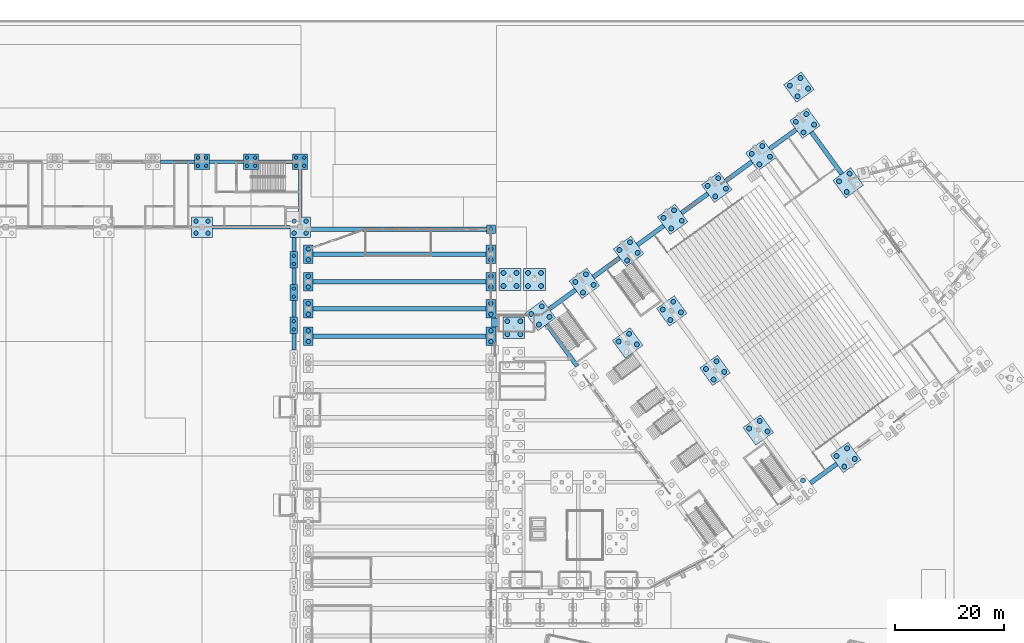
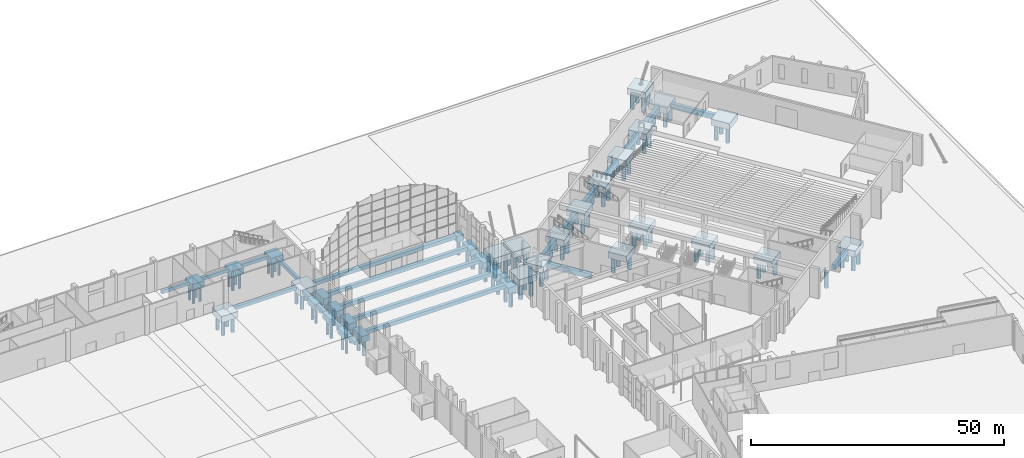
# One storey, part 9 of 239: 109 piles, 58 footings.
"""IFC4 building model written with IfcOpenShell, lengths in metres."""

from ifc_helpers import new_model, si_unit, direction, frame, origin, origin_2d, place, context, subcontext, project, spatial, rectangle, circle, extrude, material, material_profile, profile_set, type_object, element, save


model = new_model("IFC4")

# Units and contexts
model_context = context("Model", 3, precision=1e-05, world=origin(), true_north=direction((0.0, 1.0)))
body_context = subcontext(model_context, "Body", "Model", "MODEL_VIEW")
ifc_project = project(units=[si_unit("LENGTHUNIT", "METRE"), si_unit("AREAUNIT", "SQUARE_METRE"), si_unit("VOLUMEUNIT", "CUBIC_METRE"), si_unit("PLANEANGLEUNIT", "RADIAN"), si_unit("MASSUNIT", "GRAM", prefix="KILO")], contexts=[model_context])

# Site, building, storey
site_placement = place(None, origin())
site = spatial("IfcSite", under=ifc_project, at=site_placement, CompositionType="ELEMENT")
building_placement = place(site_placement, origin())
building = spatial("IfcBuilding", under=site, at=building_placement, Name="Okhra Congress Centre", CompositionType="ELEMENT")
storey_placement = place(building_placement, origin())
storey = spatial("IfcBuildingStorey", under=building, at=storey_placement, Name="L00", CompositionType="ELEMENT", Elevation=0.0)

# Piles
ifc_material_1 = material(Name="Concrete C30/37", Category="concrete")
ifc_material_profile_1 = material_profile(ifc_material_1, circle(Radius=0.300048828125, at=origin_2d()), Name="D600")
ifc_profile_set_1 = profile_set([ifc_material_profile_1], Name="Concrete C30/37")
pile_type_1 = type_object("IfcPileType", Name="Bored pile D600", PredefinedType="BORED", material=ifc_profile_set_1)
for number, where, z_axis, x_axis, name in (
    (1, (152.85009765625, 197.25, -1.800048828125), (0.0, 0.0, -1.0), (1.0, 0.0, 0.0), "EH.PILE.L00.PP36.1"),
    (2, (152.85009765625, 198.75, -1.800048828125), (0.0, 0.0, -1.0), (1.0, 0.0, 0.0), "EH.PILE.L00.PP36.2"),
    (3, (152.85009765625, 203.25, -1.800048828125), (0.0, 0.0, -1.0), (1.0, 0.0, 0.0), "EH.PILE.L00.PP38.1"),
    (4, (152.85009765625, 204.75, -1.800048828125), (0.0, 0.0, -1.0), (1.0, 0.0, 0.0), "EH.PILE.L00.PP38.2"),
    (5, (152.85009765625, 209.25, -1.800048828125), (0.0, 0.0, -1.0), (1.0, 0.0, 0.0), "EH.PILE.L00.PP40.1"),
    (6, (152.85009765625, 210.75, -1.800048828125), (0.0, 0.0, -1.0), (1.0, 0.0, 0.0), "EH.PILE.L00.PP40.2"),
    (7, (135.25, 227.25, -1.800048828125), (0.0, 0.0, -1.0), (1.0, 0.0, 0.0), "EH.PILE.L00.KC13.1"),
    (8, (136.75, 227.25, -1.800048828125), (0.0, 0.0, -1.0), (1.0, 0.0, 0.0), "EH.PILE.L00.KC13.2"),
    (9, (135.25, 228.75, -1.800048828125), (0.0, 0.0, -1.0), (1.0, 0.0, 0.0), "EH.PILE.L00.KC13.3"),
    (10, (136.75, 228.75, -1.800048828125), (0.0, 0.0, -1.0), (1.0, 0.0, 0.0), "EH.PILE.L00.KC13.4"),
    (11, (144.25, 227.25, -1.800048828125), (0.0, 0.0, -1.0), (1.0, 0.0, 0.0), "EH.PILE.L00.KC14.1"),
    (12, (145.75, 227.25, -1.800048828125), (0.0, 0.0, -1.0), (1.0, 0.0, 0.0), "EH.PILE.L00.KC14.2"),
    (13, (144.25, 228.75, -1.800048828125), (0.0, 0.0, -1.0), (1.0, 0.0, 0.0), "EH.PILE.L00.KC14.3"),
    (14, (145.75, 228.75, -1.800048828125), (0.0, 0.0, -1.0), (1.0, 0.0, 0.0), "EH.PILE.L00.KC14.4"),
    (15, (153.25, 227.25, -1.800048828125), (0.0, 0.0, -1.0), (1.0, 0.0, 0.0), "EH.PILE.L00.KC15.1"),
    (16, (154.75, 227.25, -1.800048828125), (0.0, 0.0, -1.0), (1.0, 0.0, 0.0), "EH.PILE.L00.KC15.2"),
    (17, (153.25, 228.75, -1.800048828125), (0.0, 0.0, -1.0), (1.0, 0.0, 0.0), "EH.PILE.L00.KC15.3"),
    (18, (154.75, 228.75, -1.800048828125), (0.0, 0.0, -1.0), (1.0, 0.0, 0.0), "EH.PILE.L00.KC15.4"),
):
    element("IfcPile", number, at=place(storey_placement, frame(where, z_axis=z_axis, x_axis=x_axis)), inside=storey, type_object=pile_type_1, Name=name, PredefinedType="BORED", context=body_context, shape_type="SweptSolid", body=[
        extrude(circle(Radius=0.300048828125, at=origin_2d()), origin(), (0.0, 0.0, 1.0), 3.699951171875),
    ])
ifc_material_profile_2 = material_profile(ifc_material_1, circle(Radius=0.39990234375, at=origin_2d()), Name="D800")
ifc_profile_set_2 = profile_set([ifc_material_profile_2], Name="Concrete C30/37")
pile_type_2 = type_object("IfcPileType", Name="Bored pile D800", PredefinedType="BORED", material=ifc_profile_set_2)
for number, where, z_axis, x_axis, name in (
    (19, (134.89990234375, 214.89990234375, -1.800048828125), (0.0, 0.0, -1.0), (1.0, 0.0, 0.0), "EH.PILE.L00.SC14.1"),
    (20, (137.10009765625, 214.89990234375, -1.800048828125), (0.0, 0.0, -1.0), (1.0, 0.0, 0.0), "EH.PILE.L00.SC14.2"),
    (21, (134.89990234375, 217.10009765625, -1.800048828125), (0.0, 0.0, -1.0), (1.0, 0.0, 0.0), "EH.PILE.L00.SC14.3"),
    (22, (137.10009765625, 217.10009765625, -1.800048828125), (0.0, 0.0, -1.0), (1.0, 0.0, 0.0), "EH.PILE.L00.SC14.4"),
    (23, (152.89990234375, 214.89990234375, -1.800048828125), (0.0, 0.0, -1.0), (1.0, 0.0, 0.0), "EH.PILE.L00.SC16.1"),
    (24, (155.10009765625, 214.89990234375, -1.800048828125), (0.0, 0.0, -1.0), (1.0, 0.0, 0.0), "EH.PILE.L00.SC16.2"),
):
    element("IfcPile", number, at=place(storey_placement, frame(where, z_axis=z_axis, x_axis=x_axis)), inside=storey, type_object=pile_type_2, Name=name, PredefinedType="BORED", context=body_context, shape_type="SweptSolid", body=[
        extrude(circle(Radius=0.39990234375, at=origin_2d()), origin(), (0.0, 0.0, 1.0), 3.699951171875),
    ])
pile_1_placement = place(storey_placement, frame((152.89990234375, 217.10009765625, -1.39990234375), z_axis=(0.0, 0.0, -1.0), x_axis=(1.0, 0.0, 0.0)))
element("IfcPile", 25, at=pile_1_placement, inside=storey, type_object=pile_type_2, Name="EH.PILE.L00.SC16.3", PredefinedType="BORED", context=body_context, shape_type="SweptSolid", body=[
    extrude(circle(Radius=0.39990234375, at=origin_2d()), origin(), (0.0, 0.0, 1.0), 4.10009765625),
])
pile_2_placement = place(storey_placement, frame((155.10009765625, 217.10009765625, -1.800048828125), z_axis=(0.0, 0.0, -1.0), x_axis=(1.0, 0.0, 0.0)))
element("IfcPile", 26, at=pile_2_placement, inside=storey, type_object=pile_type_2, Name="EH.PILE.L00.SC16.4", PredefinedType="BORED", context=body_context, shape_type="SweptSolid", body=[
    extrude(circle(Radius=0.39990234375, at=origin_2d()), origin(), (0.0, 0.0, 1.0), 3.699951171875),
])
ifc_material_profile_3 = material_profile(ifc_material_1, circle(Radius=0.39990234375, at=origin_2d()), Name="D800")
ifc_profile_set_3 = profile_set([ifc_material_profile_3], Name="Concrete C30/37")
pile_type_3 = type_object("IfcPileType", Name="Bored pile D800 C30/37", PredefinedType="BORED", material=ifc_profile_set_3)
for number, where, z_axis, x_axis, name in (
    (27, (155.5, 195.0, -1.800048828125), (0.0, 0.0, -1.0), (1.0, 0.0, 0.0), "WG.PILE.L00.W24-1"),
    (28, (155.5, 197.0, -1.800048828125), (0.0, 0.0, -1.0), (1.0, 0.0, 0.0), "WG.PILE.L00.W24-2"),
    (29, (189.0, 195.0, -1.800048828125), (0.0, 0.0, -1.0), (1.0, 0.0, 0.0), "WG.PILE.L00.E24-1"),
    (30, (189.0, 197.0, -1.800048828125), (0.0, 0.0, -1.0), (1.0, 0.0, 0.0), "WG.PILE.L00.E24-2"),
    (31, (155.5, 200.0, -1.800048828125), (0.0, 0.0, -1.0), (1.0, 0.0, 0.0), "WG.PILE.L00.W25-1"),
    (32, (155.5, 202.0, -1.800048828125), (0.0, 0.0, -1.0), (1.0, 0.0, 0.0), "WG.PILE.L00.W25-2"),
    (33, (189.0, 200.0, -1.800048828125), (0.0, 0.0, -1.0), (1.0, 0.0, 0.0), "WG.PILE.L00.E25-1"),
    (34, (189.0, 202.0, -1.800048828125), (0.0, 0.0, -1.0), (1.0, 0.0, 0.0), "WG.PILE.L00.E25-2"),
    (35, (155.5, 205.0, -1.800048828125), (0.0, 0.0, -1.0), (1.0, 0.0, 0.0), "WG.PILE.L00.W26-1"),
    (36, (155.5, 207.0, -1.800048828125), (0.0, 0.0, -1.0), (1.0, 0.0, 0.0), "WG.PILE.L00.W26-2"),
    (37, (189.0, 205.0, -1.800048828125), (0.0, 0.0, -1.0), (1.0, 0.0, 0.0), "WG.PILE.L00.E26-1"),
    (38, (189.0, 207.0, -1.800048828125), (0.0, 0.0, -1.0), (1.0, 0.0, 0.0), "WG.PILE.L00.E26-2"),
    (39, (155.5, 210.0, -1.800048828125), (0.0, 0.0, -1.0), (1.0, 0.0, 0.0), "WG.PILE.L00.W27-1"),
    (40, (155.5, 212.0, -1.800048828125), (0.0, 0.0, -1.0), (1.0, 0.0, 0.0), "WG.PILE.L00.W27-2"),
    (41, (189.0, 210.0, -1.800048828125), (0.0, 0.0, -1.0), (1.0, 0.0, 0.0), "WG.PILE.L00.E27-1"),
    (42, (189.0, 212.0, -1.800048828125), (0.0, 0.0, -1.0), (1.0, 0.0, 0.0), "WG.PILE.L00.E27-2"),
    (43, (189.0, 215.60009765625, -1.800048828125), (0.0, 0.0, -1.0), (1.0, 0.0, 0.0), "WG.PILE.L00.E28-1"),
):
    element("IfcPile", number, at=place(storey_placement, frame(where, z_axis=z_axis, x_axis=x_axis)), inside=storey, type_object=pile_type_3, Name=name, PredefinedType="BORED", context=body_context, shape_type="SweptSolid", body=[
        extrude(circle(Radius=0.39990234375, at=origin_2d()), origin(), (0.0, 0.0, 1.0), 3.699951171875),
    ])
ifc_material_profile_4 = material_profile(ifc_material_1, circle(Radius=0.449951171875, at=origin_2d()), Name="D900")
ifc_profile_set_4 = profile_set([ifc_material_profile_4], Name="Concrete C30/37")
pile_type_4 = type_object("IfcPileType", Name="Bored pile D900 C30/37", PredefinedType="BORED", material=ifc_profile_set_4)
for number, where, z_axis, x_axis, name in (
    (44, (197.8046875, 198.11962890625, -1.699951171875), (0.0, 0.0, -1.0), (1.0, 0.0, 0.0), "Bored pile 2.1"),
    (45, (199.746337890625, 199.5302734375, -1.699951171875), (0.0, 0.0, -1.0), (1.0, 0.0, 0.0), "Bored pile 2.2"),
    (46, (196.39404296875, 200.061279296875, -1.699951171875), (0.0, 0.0, -1.0), (1.0, 0.0, 0.0), "Bored pile 2.3"),
    (47, (198.33544921875, 201.471923828125, -1.699951171875), (0.0, 0.0, -1.0), (1.0, 0.0, 0.0), "Bored pile 2.4"),
    (48, (205.894775390625, 203.99755859375, -1.699951171875), (0.0, 0.0, -1.0), (1.0, 0.0, 0.0), "Bored pile 4.1"),
    (49, (207.83642578125, 205.408203125, -1.699951171875), (0.0, 0.0, -1.0), (1.0, 0.0, 0.0), "Bored pile 4.2"),
    (50, (204.484130859375, 205.939208984375, -1.699951171875), (0.0, 0.0, -1.0), (1.0, 0.0, 0.0), "Bored pile 4.3"),
    (51, (206.42578125, 207.349853515625, -1.699951171875), (0.0, 0.0, -1.0), (1.0, 0.0, 0.0), "Bored pile 4.4"),
    (52, (246.25634765625, 169.540771484375, -1.699951171875), (0.0, 0.0, -1.0), (1.0, 0.0, 0.0), "Bored pile 5.4"),
    (53, (213.98486328125, 209.875244140625, -1.699951171875), (0.0, 0.0, -1.0), (1.0, 0.0, 0.0), "Bored pile 6.1"),
    (54, (215.926513671875, 211.2861328125, -1.699951171875), (0.0, 0.0, -1.0), (1.0, 0.0, 0.0), "Bored pile 6.2"),
    (55, (212.57421875, 211.81689453125, -1.699951171875), (0.0, 0.0, -1.0), (1.0, 0.0, 0.0), "Bored pile 6.3"),
    (56, (214.515869140625, 213.227783203125, -1.699951171875), (0.0, 0.0, -1.0), (1.0, 0.0, 0.0), "Bored pile 6.4"),
    (57, (253.8154296875, 172.066162109375, -1.699951171875), (0.0, 0.0, -1.0), (1.0, 0.0, 0.0), "Bored pile 7.1"),
    (58, (255.757080078125, 173.47705078125, -1.699951171875), (0.0, 0.0, -1.0), (1.0, 0.0, 0.0), "Bored pile 7.2"),
    (59, (252.40478515625, 174.0078125, -1.699951171875), (0.0, 0.0, -1.0), (1.0, 0.0, 0.0), "Bored pile 7.3"),
    (60, (254.346435546875, 175.418701171875, -1.699951171875), (0.0, 0.0, -1.0), (1.0, 0.0, 0.0), "Bored pile 7.4"),
    (61, (222.0751953125, 215.753173828125, -1.699951171875), (0.0, 0.0, -1.0), (1.0, 0.0, 0.0), "Bored pile 8.1"),
    (62, (224.016845703125, 217.163818359375, -1.699951171875), (0.0, 0.0, -1.0), (1.0, 0.0, 0.0), "Bored pile 8.2"),
    (63, (220.66455078125, 217.69482421875, -1.699951171875), (0.0, 0.0, -1.0), (1.0, 0.0, 0.0), "Bored pile 8.3"),
    (64, (222.60595703125, 219.10546875, -1.699951171875), (0.0, 0.0, -1.0), (1.0, 0.0, 0.0), "Bored pile 8.4"),
    (65, (230.165283203125, 221.631103515625, -1.699951171875), (0.0, 0.0, -1.0), (1.0, 0.0, 0.0), "Bored pile 10.1"),
    (66, (232.10693359375, 223.041748046875, -1.699951171875), (0.0, 0.0, -1.0), (1.0, 0.0, 0.0), "Bored pile 10.2"),
    (67, (228.754638671875, 223.57275390625, -1.699951171875), (0.0, 0.0, -1.0), (1.0, 0.0, 0.0), "Bored pile 10.3"),
    (68, (230.6962890625, 224.9833984375, -1.699951171875), (0.0, 0.0, -1.0), (1.0, 0.0, 0.0), "Bored pile 10.4"),
    (69, (238.25537109375, 227.5087890625, -1.699951171875), (0.0, 0.0, -1.0), (1.0, 0.0, 0.0), "Bored pile 12.1"),
    (70, (240.197021484375, 228.919677734375, -1.699951171875), (0.0, 0.0, -1.0), (1.0, 0.0, 0.0), "Bored pile 12.2"),
    (71, (236.8447265625, 229.450439453125, -1.699951171875), (0.0, 0.0, -1.0), (1.0, 0.0, 0.0), "Bored pile 12.3"),
    (72, (238.786376953125, 230.861328125, -1.699951171875), (0.0, 0.0, -1.0), (1.0, 0.0, 0.0), "Bored pile 12.4"),
    (73, (246.345703125, 233.38671875, -1.699951171875), (0.0, 0.0, -1.0), (1.0, 0.0, 0.0), "Bored pile 14.1"),
    (74, (248.287353515625, 234.79736328125, -1.699951171875), (0.0, 0.0, -1.0), (1.0, 0.0, 0.0), "Bored pile 14.2"),
    (75, (244.93505859375, 235.328369140625, -1.699951171875), (0.0, 0.0, -1.0), (1.0, 0.0, 0.0), "Bored pile 14.3"),
    (76, (246.87646484375, 236.739013671875, -1.699951171875), (0.0, 0.0, -1.0), (1.0, 0.0, 0.0), "Bored pile 14.4"),
    (77, (254.28076171875, 222.465087890625, -1.699951171875), (0.0, 0.0, -1.0), (1.0, 0.0, 0.0), "Bored pile 20.1"),
    (78, (252.8701171875, 224.40673828125, -1.699951171875), (0.0, 0.0, -1.0), (1.0, 0.0, 0.0), "Bored pile 20.3"),
    (79, (254.811767578125, 225.8173828125, -1.699951171875), (0.0, 0.0, -1.0), (1.0, 0.0, 0.0), "Bored pile 20.4"),
    (80, (215.771484375, 194.486328125, -1.699951171875), (0.0, 0.0, -1.0), (1.0, 0.0, 0.0), "Bored pile 23.2"),
    (81, (212.419189453125, 195.017333984375, -1.699951171875), (0.0, 0.0, -1.0), (1.0, 0.0, 0.0), "Bored pile 23.3"),
    (82, (214.36083984375, 196.427978515625, -1.699951171875), (0.0, 0.0, -1.0), (1.0, 0.0, 0.0), "Bored pile 23.4"),
    (83, (239.73193359375, 178.520751953125, -1.699951171875), (0.0, 0.0, -1.0), (1.0, 0.0, 0.0), "Bored pile 24.2"),
    (84, (236.379638671875, 179.0517578125, -1.699951171875), (0.0, 0.0, -1.0), (1.0, 0.0, 0.0), "Bored pile 24.3"),
    (85, (238.3212890625, 180.46240234375, -1.699951171875), (0.0, 0.0, -1.0), (1.0, 0.0, 0.0), "Bored pile 24.4"),
    (86, (229.855224609375, 188.031982421875, -1.699951171875), (0.0, 0.0, -1.0), (1.0, 0.0, 0.0), "Bored pile 25.1"),
    (87, (231.796875, 189.442626953125, -1.699951171875), (0.0, 0.0, -1.0), (1.0, 0.0, 0.0), "Bored pile 25.2"),
    (88, (228.444580078125, 189.9736328125, -1.699951171875), (0.0, 0.0, -1.0), (1.0, 0.0, 0.0), "Bored pile 25.3"),
    (89, (230.385986328125, 191.38427734375, -1.699951171875), (0.0, 0.0, -1.0), (1.0, 0.0, 0.0), "Bored pile 25.4"),
    (90, (221.920166015625, 198.95361328125, -1.699951171875), (0.0, 0.0, -1.0), (1.0, 0.0, 0.0), "Bored pile 26.1"),
    (91, (223.861572265625, 200.3642578125, -1.699951171875), (0.0, 0.0, -1.0), (1.0, 0.0, 0.0), "Bored pile 26.2"),
    (92, (220.50927734375, 200.895263671875, -1.699951171875), (0.0, 0.0, -1.0), (1.0, 0.0, 0.0), "Bored pile 26.3"),
    (93, (222.450927734375, 202.305908203125, -1.699951171875), (0.0, 0.0, -1.0), (1.0, 0.0, 0.0), "Bored pile 26.4"),
    (94, (192.0, 196.340087890625, -1.699951171875), (0.0, 0.0, -1.0), (1.0, 0.0, 0.0), "Foyer bored pile 13.1"),
    (95, (194.39990234375, 196.340087890625, -1.699951171875), (0.0, 0.0, -1.0), (1.0, 0.0, 0.0), "Foyer bored pile 13.2"),
    (96, (192.0, 198.739990234375, -1.699951171875), (0.0, 0.0, -1.0), (1.0, 0.0, 0.0), "Foyer bored pile 13.3"),
    (97, (194.39990234375, 198.739990234375, -1.699951171875), (0.0, 0.0, -1.0), (1.0, 0.0, 0.0), "Foyer bored pile 13.4"),
    (98, (191.300048828125, 205.199951171875, -1.699951171875), (0.0, 0.0, -1.0), (1.0, 0.0, 0.0), "Foyer bored pile 320.1"),
    (99, (193.699951171875, 205.199951171875, -1.699951171875), (0.0, 0.0, -1.0), (1.0, 0.0, 0.0), "Foyer bored pile 320.2"),
    (100, (191.300048828125, 207.60009765625, -1.699951171875), (0.0, 0.0, -1.0), (1.0, 0.0, 0.0), "Foyer bored pile 320.3"),
    (101, (193.699951171875, 207.60009765625, -1.699951171875), (0.0, 0.0, -1.0), (1.0, 0.0, 0.0), "Foyer bored pile 320.4"),
    (102, (195.800048828125, 205.199951171875, -1.699951171875), (0.0, 0.0, -1.0), (1.0, 0.0, 0.0), "Foyer bored pile 321.1"),
    (103, (198.199951171875, 205.199951171875, -1.699951171875), (0.0, 0.0, -1.0), (1.0, 0.0, 0.0), "Foyer bored pile 321.2"),
    (104, (195.800048828125, 207.60009765625, -1.699951171875), (0.0, 0.0, -1.0), (1.0, 0.0, 0.0), "Foyer bored pile 321.3"),
    (105, (198.199951171875, 207.60009765625, -1.699951171875), (0.0, 0.0, -1.0), (1.0, 0.0, 0.0), "Foyer bored pile 321.4"),
    (106, (245.245849609375, 240.004150390625, -1.699951171875), (0.0, 0.0, -1.0), (1.0, 0.0, 0.0), "Foyer bored pile 331.1"),
    (107, (247.1875, 241.414794921875, -1.699951171875), (0.0, 0.0, -1.0), (1.0, 0.0, 0.0), "Foyer bored pile 331.2"),
    (108, (243.835205078125, 241.94580078125, -1.699951171875), (0.0, 0.0, -1.0), (1.0, 0.0, 0.0), "Foyer bored pile 331.3"),
    (109, (245.77685546875, 243.3564453125, -1.699951171875), (0.0, 0.0, -1.0), (1.0, 0.0, 0.0), "Foyer bored pile 331.4"),
):
    element("IfcPile", number, at=place(storey_placement, frame(where, z_axis=z_axis, x_axis=x_axis)), inside=storey, type_object=pile_type_4, Name=name, PredefinedType="BORED", context=body_context, shape_type="SweptSolid", body=[
        extrude(circle(Radius=0.449951171875, at=origin_2d()), origin(), (0.0, 0.0, 1.0), 3.800048828125),
    ])

# Footings
footing_type_1 = type_object("IfcFootingType", Name="Ground beam 600x800 C30/37", PredefinedType="FOOTING_BEAM", material=ifc_material_1)
footing_1_placement = place(storey_placement, frame((145.0, 216.0, -1.2001953125), z_axis=(0.0, 0.0, 1.0), x_axis=(1.0, 0.0, 0.0)))
element("IfcFooting", 110, at=footing_1_placement, inside=storey, type_object=footing_type_1, Name="EH.FTG.L00.GB28", PredefinedType="FOOTING_BEAM", context=body_context, shape_type="SweptSolid", body=[
    extrude(rectangle(XDim=14.199951171875, YDim=0.60009765625, at=origin_2d()), origin(), (0.0, 0.0, 1.0), 0.800048828125),
])
for number, where, z_axis, x_axis, name in (
    (111, (152.85009765625, 195.0, -1.2001953125), (0.0, 0.0, 1.0), (0.0, 1.0, 0.0), "EH.FTG.L00.GB53"),
    (112, (152.85009765625, 201.0, -1.2001953125), (0.0, 0.0, 1.0), (0.0, 1.0, 0.0), "EH.FTG.L00.GB54"),
    (113, (152.85009765625, 207.0, -1.2001953125), (0.0, 0.0, 1.0), (0.0, 1.0, 0.0), "EH.FTG.L00.GB55"),
):
    element("IfcFooting", number, at=place(storey_placement, frame(where, z_axis=z_axis, x_axis=x_axis)), inside=storey, type_object=footing_type_1, Name=name, PredefinedType="FOOTING_BEAM", context=body_context, shape_type="SweptSolid", body=[
        extrude(rectangle(XDim=3.0, YDim=0.60009765625, at=origin_2d()), origin(), (0.0, 0.0, 1.0), 0.800048828125),
    ])
footing_2_placement = place(storey_placement, frame((152.85009765625, 212.800048828125, -1.2001953125), z_axis=(0.0, 0.0, 1.0), x_axis=(0.0, 1.0, 0.0)))
element("IfcFooting", 114, at=footing_2_placement, inside=storey, type_object=footing_type_1, Name="EH.FTG.L00.GB56", PredefinedType="FOOTING_BEAM", context=body_context, shape_type="SweptSolid", body=[
    extrude(rectangle(XDim=2.60009765625, YDim=0.60009765625, at=origin_2d()), origin(), (0.0, 0.0, 1.0), 0.800048828125),
])
for number, where, z_axis, x_axis, name in (
    (115, (131.5, 228.0, -1.2001953125), (0.0, 0.0, 1.0), (1.0, 0.0, 0.0), "EH.FTG.L00.GB68"),
    (116, (140.5, 228.0, -1.2001953125), (0.0, 0.0, 1.0), (1.0, 0.0, 0.0), "EH.FTG.L00.GB69"),
    (117, (149.5, 228.0, -1.2001953125), (0.0, 0.0, 1.0), (1.0, 0.0, 0.0), "EH.FTG.L00.GB70"),
):
    element("IfcFooting", number, at=place(storey_placement, frame(where, z_axis=z_axis, x_axis=x_axis)), inside=storey, type_object=footing_type_1, Name=name, PredefinedType="FOOTING_BEAM", context=body_context, shape_type="SweptSolid", body=[
        extrude(rectangle(XDim=6.199951171875, YDim=0.60009765625, at=origin_2d()), origin(), (0.0, 0.0, 1.0), 0.800048828125),
    ])
footing_3_placement = place(storey_placement, frame((154.0, 222.25, -1.2001953125), z_axis=(0.0, 0.0, 1.0), x_axis=(0.0, 1.0, 0.0)))
element("IfcFooting", 118, at=footing_3_placement, inside=storey, type_object=footing_type_1, Name="EH.FTG.L00.GB72", PredefinedType="FOOTING_BEAM", context=body_context, shape_type="SweptSolid", body=[
    extrude(rectangle(XDim=8.699951171875, YDim=0.60009765625, at=origin_2d()), origin(), (0.0, 0.0, 1.0), 0.800048828125),
])
footing_type_2 = type_object("IfcFootingType", Name="Pile cap 1600x1600x1500 C30/37", PredefinedType="PILE_CAP", material=ifc_material_1)
footing_4_placement = place(storey_placement, frame((189.0, 215.60009765625, -1.89990234375), z_axis=(0.0, 0.0, 1.0), x_axis=(1.0, 0.0, 0.0)))
element("IfcFooting", 119, at=footing_4_placement, inside=storey, type_object=footing_type_2, Name="WG.FTG.L00.cap-E28", PredefinedType="PILE_CAP", context=body_context, shape_type="SweptSolid", body=[
    extrude(rectangle(XDim=1.60009765625, YDim=1.60009765625, at=origin_2d()), origin(), (0.0, 0.0, 1.0), 1.5),
])
footing_type_3 = type_object("IfcFootingType", Name="Pile cap 1800x3400x1500 C30/37", PredefinedType="PILE_CAP", material=ifc_material_1)
for number, where, z_axis, x_axis, name in (
    (120, (155.5, 196.0, -1.89990234375), (0.0, 0.0, 1.0), (1.0, 0.0, 0.0), "WG.FTG.L00.cap-W24"),
    (121, (189.0, 196.0, -1.89990234375), (0.0, 0.0, 1.0), (1.0, 0.0, 0.0), "WG.FTG.L00.cap-E24"),
    (122, (155.5, 201.0, -1.89990234375), (0.0, 0.0, 1.0), (1.0, 0.0, 0.0), "WG.FTG.L00.cap-W25"),
    (123, (189.0, 201.0, -1.89990234375), (0.0, 0.0, 1.0), (1.0, 0.0, 0.0), "WG.FTG.L00.cap-E25"),
    (124, (155.5, 206.0, -1.89990234375), (0.0, 0.0, 1.0), (1.0, 0.0, 0.0), "WG.FTG.L00.cap-W26"),
    (125, (189.0, 206.0, -1.89990234375), (0.0, 0.0, 1.0), (1.0, 0.0, 0.0), "WG.FTG.L00.cap-E26"),
    (126, (155.5, 211.0, -1.89990234375), (0.0, 0.0, 1.0), (1.0, 0.0, 0.0), "WG.FTG.L00.cap-W27"),
    (127, (189.0, 211.0, -1.89990234375), (0.0, 0.0, 1.0), (1.0, 0.0, 0.0), "WG.FTG.L00.cap-E27"),
):
    element("IfcFooting", number, at=place(storey_placement, frame(where, z_axis=z_axis, x_axis=x_axis)), inside=storey, type_object=footing_type_3, Name=name, PredefinedType="PILE_CAP", context=body_context, shape_type="SweptSolid", body=[
        extrude(rectangle(XDim=1.800048828125, YDim=3.39990234375, at=origin_2d()), origin(), (0.0, 0.0, 1.0), 1.5),
    ])
footing_type_4 = type_object("IfcFootingType", Name="Pile cap 2800x2800x1500 C30/37", PredefinedType="PILE_CAP", material=ifc_material_1)
for number, where, z_axis, x_axis, name in (
    (128, (136.0, 228.0, -1.89990234375), (0.0, 0.0, 1.0), (1.0, 0.0, 0.0), "EH.FTG.L00.KC13"),
    (129, (145.0, 228.0, -1.89990234375), (0.0, 0.0, 1.0), (1.0, 0.0, 0.0), "EH.FTG.L00.KC14"),
    (130, (154.0, 228.0, -1.89990234375), (0.0, 0.0, 1.0), (1.0, 0.0, 0.0), "EH.FTG.L00.KC15"),
):
    element("IfcFooting", number, at=place(storey_placement, frame(where, z_axis=z_axis, x_axis=x_axis)), inside=storey, type_object=footing_type_4, Name=name, PredefinedType="PILE_CAP", context=body_context, shape_type="SweptSolid", body=[
        extrude(rectangle(XDim=2.800048828125, YDim=2.800048828125, at=origin_2d()), origin(), (0.0, 0.0, 1.0), 1.5),
    ])
footing_type_5 = type_object("IfcFootingType", Name="Pile cap 3000x1400x1500 C30/37", PredefinedType="PILE_CAP", material=ifc_material_1)
for number, where, z_axis, x_axis, name in (
    (131, (152.85009765625, 198.0, -1.89990234375), (0.0, 0.0, 1.0), (0.0, 1.0, 0.0), "EH.FTG.L00.PP36"),
    (132, (152.85009765625, 204.0, -1.89990234375), (0.0, 0.0, 1.0), (0.0, 1.0, 0.0), "EH.FTG.L00.PP38"),
    (133, (152.85009765625, 210.0, -1.89990234375), (0.0, 0.0, 1.0), (0.0, 1.0, 0.0), "EH.FTG.L00.PP40"),
):
    element("IfcFooting", number, at=place(storey_placement, frame(where, z_axis=z_axis, x_axis=x_axis)), inside=storey, type_object=footing_type_5, Name=name, PredefinedType="PILE_CAP", context=body_context, shape_type="SweptSolid", body=[
        extrude(rectangle(XDim=3.0, YDim=1.39990234375, at=origin_2d()), origin(), (0.0, 0.0, 1.0), 1.5),
    ])
footing_type_6 = type_object("IfcFootingType", Name="Pile cap 3800x3800x1500 C30/37", PredefinedType="PILE_CAP", material=ifc_material_1)
for number, where, z_axis, x_axis, name in (
    (134, (136.0, 216.0, -1.89990234375), (0.0, 0.0, 1.0), (1.0, 0.0, 0.0), "EH.FTG.L00.SC14"),
    (135, (154.0, 216.0, -1.89990234375), (0.0, 0.0, 1.0), (1.0, 0.0, 0.0), "EH.FTG.L00.SC16"),
):
    element("IfcFooting", number, at=place(storey_placement, frame(where, z_axis=z_axis, x_axis=x_axis)), inside=storey, type_object=footing_type_6, Name=name, PredefinedType="PILE_CAP", context=body_context, shape_type="SweptSolid", body=[
        extrude(rectangle(XDim=3.800048828125, YDim=3.800048828125, at=origin_2d()), origin(), (0.0, 0.0, 1.0), 1.5),
    ])
footing_type_7 = type_object("IfcFootingType", Name="RC ground beam 1200x900 C30/37", PredefinedType="STRIP_FOOTING", material=ifc_material_1)
footing_5_placement = place(storey_placement, frame((189.75, 198.5, -1.300048828125), z_axis=(0.0, 0.0, 1.0), x_axis=(1.0, 0.0, 0.0)))
element("IfcFooting", 136, at=footing_5_placement, inside=storey, type_object=footing_type_7, Name="WG.FTG.L00.gbeam-18", PredefinedType="STRIP_FOOTING", context=body_context, shape_type="SweptSolid", body=[
    extrude(rectangle(XDim=1.199951171875, YDim=1.60009765625, at=origin_2d()), origin(), (0.0, 0.0, 1.0), 0.89990234375),
])
ifc_material_2 = material(Name="Concrete C35/45", Category="concrete")
footing_type_8 = type_object("IfcFootingType", Name="RC pile cap 4000x4000x1500 C35/45", PredefinedType="PILE_CAP", material=ifc_material_2)
for number, where, z_axis, x_axis, name in (
    (137, (198.070068359375, 199.7958984375, -1.800048828125), (0.0, 0.0, 1.0), (0.809016994375, 0.587785252292, 0.0), "Pile cap 2"),
    (138, (206.16015625, 205.673583984375, -1.800048828125), (0.0, 0.0, 1.0), (0.809016994375, 0.587785252292, 0.0), "Pile cap 4"),
    (139, (214.25048828125, 211.551513671875, -1.800048828125), (0.0, 0.0, 1.0), (0.809016994375, 0.587785252292, 0.0), "Pile cap 6"),
    (140, (254.0810546875, 173.742431640625, -1.800048828125), (0.0, 0.0, 1.0), (0.809016994375, 0.587785252292, 0.0), "Pile cap 7"),
    (141, (222.340576171875, 217.429443359375, -1.800048828125), (0.0, 0.0, 1.0), (0.809016994375, 0.587785252292, 0.0), "Pile cap 8"),
    (142, (230.4306640625, 223.30712890625, -1.800048828125), (0.0, 0.0, 1.0), (0.809016994375, 0.587785252292, 0.0), "Pile cap 10"),
    (143, (238.52099609375, 229.18505859375, -1.800048828125), (0.0, 0.0, 1.0), (0.809016994375, 0.587785252292, 0.0), "Pile cap 12"),
    (144, (246.611083984375, 235.06298828125, -1.800048828125), (0.0, 0.0, 1.0), (0.809016994375, 0.587785252292, 0.0), "Pile cap 14"),
    (145, (254.546142578125, 224.14111328125, -1.800048828125), (0.0, 0.0, 1.0), (0.809016994375, 0.587785252292, 0.0), "Pile cap 20"),
    (146, (214.095458984375, 194.751953125, -1.800048828125), (0.0, 0.0, 1.0), (0.809016994375, 0.587785252292, 0.0), "Pile cap 23"),
    (147, (238.0556640625, 178.786376953125, -1.800048828125), (0.0, 0.0, 1.0), (0.809016994375, 0.587785252292, 0.0), "Pile cap 24"),
    (148, (230.12060546875, 189.7080078125, -1.800048828125), (0.0, 0.0, 1.0), (0.809016994375, 0.587785252292, 0.0), "Pile cap 25"),
    (149, (222.185546875, 200.6298828125, -1.800048828125), (0.0, 0.0, 1.0), (0.809016994375, 0.587785252292, 0.0), "Pile cap 26"),
    (150, (193.199951171875, 197.5400390625, -1.800048828125), (0.0, 0.0, 1.0), (1.0, 0.0, 0.0), "Foyer pile cap 13"),
    (151, (192.5, 206.39990234375, -1.800048828125), (0.0, 0.0, 1.0), (1.0, 0.0, 0.0), "Foyer pile cap 320"),
    (152, (197.0, 206.39990234375, -1.800048828125), (0.0, 0.0, 1.0), (1.0, 0.0, 0.0), "Foyer pile cap 321"),
    (153, (245.511474609375, 241.680419921875, -1.800048828125), (0.0, 0.0, 1.0), (0.809016994375, 0.587785252292, 0.0), "Foyer pile cap 331"),
):
    element("IfcFooting", number, at=place(storey_placement, frame(where, z_axis=z_axis, x_axis=x_axis)), inside=storey, type_object=footing_type_8, Name=name, PredefinedType="PILE_CAP", context=body_context, shape_type="SweptSolid", body=[
        extrude(rectangle(XDim=4.0, YDim=4.0, at=origin_2d()), origin(), (0.0, 0.0, 1.0), 1.5),
    ])
footing_type_9 = type_object("IfcFootingType", Name="RC strip footing 800x1200 C35/45", PredefinedType="STRIP_FOOTING", material=ifc_material_2)
for number, where, z_axis, x_axis, name in (
    (154, (250.035888671875, 170.803466796875, -1.5), (0.0, 0.0, 1.0), (0.809016994375, 0.587785252292, 0.0), "Strip footing 3"),
    (155, (202.115234375, 202.734619140625, -1.5), (0.0, 0.0, 1.0), (0.809016994375, 0.587785252292, 0.0), "Strip footing 7"),
    (156, (210.205322265625, 208.612548828125, -1.5), (0.0, 0.0, 1.0), (0.809016994375, 0.587785252292, 0.0), "Strip footing 8"),
    (157, (218.29541015625, 214.490478515625, -1.5), (0.0, 0.0, 1.0), (0.809016994375, 0.587785252292, 0.0), "Strip footing 9"),
    (158, (226.3857421875, 220.3681640625, -1.5), (0.0, 0.0, 1.0), (0.809016994375, 0.587785252292, 0.0), "Strip footing 10"),
    (159, (234.475830078125, 226.24609375, -1.5), (0.0, 0.0, 1.0), (0.809016994375, 0.587785252292, 0.0), "Strip footing 11"),
    (160, (242.56591796875, 232.1240234375, -1.5), (0.0, 0.0, 1.0), (0.809016994375, 0.587785252292, 0.0), "Strip footing 12"),
):
    element("IfcFooting", number, at=place(storey_placement, frame(where, z_axis=z_axis, x_axis=x_axis)), inside=storey, type_object=footing_type_9, Name=name, PredefinedType="STRIP_FOOTING", context=body_context, shape_type="SweptSolid", body=[
        extrude(rectangle(XDim=6.0, YDim=0.800048828125, at=origin_2d()), origin(), (0.0, 0.0, 1.0), 1.199951171875),
    ])
for number, where, z_axis, x_axis, name in (
    (161, (202.03759765625, 194.3349609375, -1.5), (0.0, 0.0, 1.0), (-0.587785252292, 0.809016994375, 0.0), "Strip footing 16"),
    (162, (250.57861328125, 229.60205078125, -1.5), (0.0, 0.0, 1.0), (-0.587785252292, 0.809016994375, 0.0), "Strip footing 20"),
):
    element("IfcFooting", number, at=place(storey_placement, frame(where, z_axis=z_axis, x_axis=x_axis)), inside=storey, type_object=footing_type_9, Name=name, PredefinedType="STRIP_FOOTING", context=body_context, shape_type="SweptSolid", body=[
        extrude(rectangle(XDim=9.5, YDim=0.800048828125, at=origin_2d()), origin(), (0.0, 0.0, 1.0), 1.199951171875),
    ])
footing_type_10 = type_object("IfcFootingType", Name="RC tie beam 800x900 C30/37", PredefinedType="STRIP_FOOTING", material=ifc_material_1)
for number, where, z_axis, x_axis, name in (
    (163, (172.25, 196.0, -1.300048828125), (0.0, 0.0, 1.0), (1.0, 0.0, 0.0), "WG.FTG.L00.tie-24"),
    (164, (172.25, 201.0, -1.300048828125), (0.0, 0.0, 1.0), (1.0, 0.0, 0.0), "WG.FTG.L00.tie-25"),
    (165, (172.25, 206.0, -1.300048828125), (0.0, 0.0, 1.0), (1.0, 0.0, 0.0), "WG.FTG.L00.tie-26"),
    (166, (172.25, 211.0, -1.300048828125), (0.0, 0.0, 1.0), (1.0, 0.0, 0.0), "WG.FTG.L00.tie-27"),
):
    element("IfcFooting", number, at=place(storey_placement, frame(where, z_axis=z_axis, x_axis=x_axis)), inside=storey, type_object=footing_type_10, Name=name, PredefinedType="STRIP_FOOTING", context=body_context, shape_type="SweptSolid", body=[
        extrude(rectangle(XDim=31.699951171875, YDim=0.800048828125, at=origin_2d()), origin(), (0.0, 0.0, 1.0), 0.89990234375),
    ])
footing_6_placement = place(storey_placement, frame((172.050048828125, 215.60009765625, -1.300048828125), z_axis=(0.0, 0.0, 1.0), x_axis=(1.0, 0.0, 0.0)))
element("IfcFooting", 167, at=footing_6_placement, inside=storey, type_object=footing_type_10, Name="WG.FTG.L00.tie-28", PredefinedType="STRIP_FOOTING", context=body_context, shape_type="SweptSolid", body=[
    extrude(rectangle(XDim=32.300048828125, YDim=0.800048828125, at=origin_2d()), origin(), (0.0, 0.0, 1.0), 0.89990234375),
])

save(model, "model.ifc")
